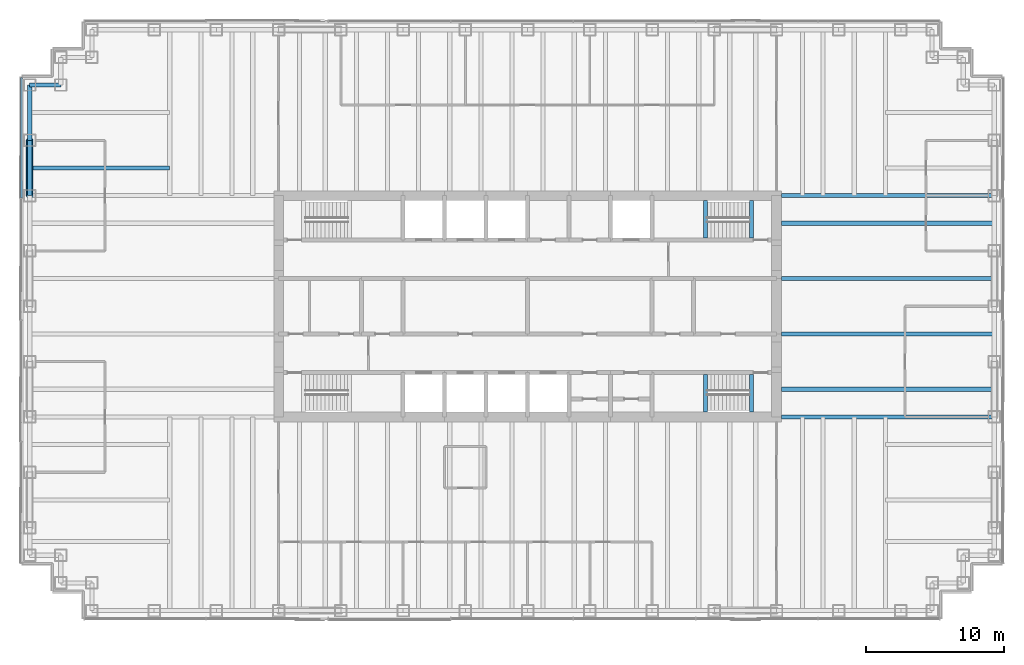
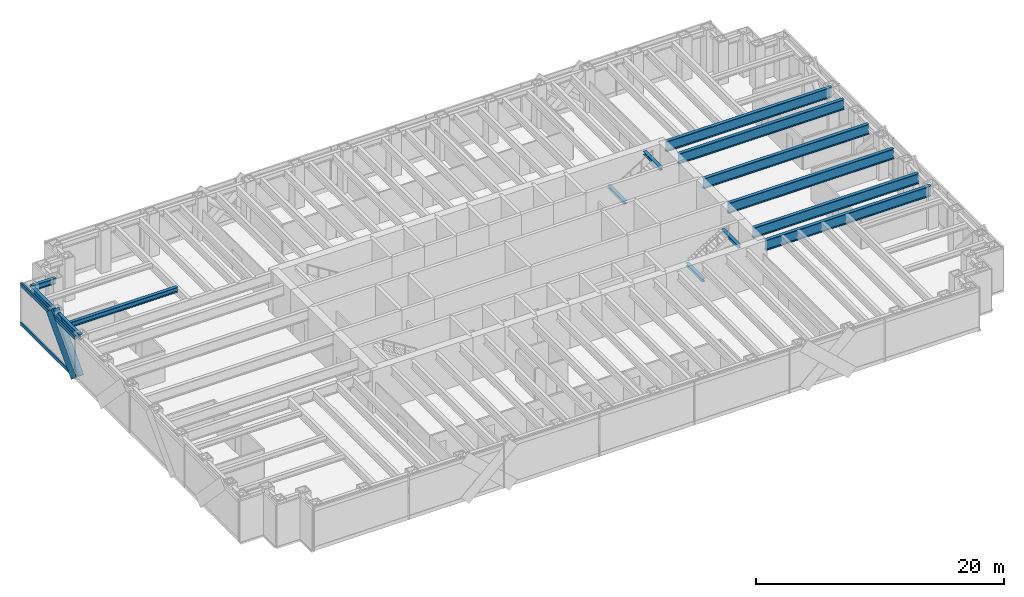
# One storey, part 5 of 17: 14 beams, 4 members, 1 element without a shape of its own.
"""IFC4 building model written with IfcOpenShell, lengths in metres."""

from ifc_helpers import new_model, si_unit, direction, frame, origin, origin_2d, place, context, subcontext, project, spatial, rectangle, hollow_circle, i_section, extrude, material, material_profile, profile_set, type_object, element, aggregate, save


model = new_model("IFC4")

# Units and contexts
model_context = context("Model", 3, precision=1e-05, world=origin(), true_north=direction((0.0, 1.0)))
body_context = subcontext(model_context, "Body", "Model", "MODEL_VIEW")
ifc_project = project(units=[si_unit("LENGTHUNIT", "METRE"), si_unit("AREAUNIT", "SQUARE_METRE"), si_unit("VOLUMEUNIT", "CUBIC_METRE"), si_unit("PLANEANGLEUNIT", "RADIAN"), si_unit("MASSUNIT", "GRAM", prefix="KILO")], contexts=[model_context])

# Site, building, storey
site_placement = place(None, origin())
site = spatial("IfcSite", under=ifc_project, at=site_placement, CompositionType="ELEMENT")
building_placement = place(site_placement, origin())
building = spatial("IfcBuilding", under=site, at=building_placement, Name="Rheinbord Bourse Tower", CompositionType="ELEMENT")
storey_placement = place(building_placement, frame((0.0, 0.0, 287.89990234375)))
storey = spatial("IfcBuildingStorey", under=building, at=storey_placement, Name="L65", CompositionType="ELEMENT", Elevation=287.89990234375)

# Curtain wall, members
ifc_material_1 = material(Name="Dark glass and black aluminium", Category="aluminium")
curtain_wall_type = type_object("IfcCurtainWallType", Name="CW3 DARK GLASS CURTAIN WALL", PredefinedType="USERDEFINED", material=ifc_material_1)
curtain_wall_placement = place(storey_placement, origin())
curtain_wall = element("IfcCurtainWall", 1, at=curtain_wall_placement, inside=storey, type_object=curtain_wall_type, Name="Curtain wall CW3 W L65", ObjectType="UNITISED CURTAIN WALL", PredefinedType="USERDEFINED")
ifc_material_2 = material(Name="Black anodised aluminium", Category="aluminium")
ifc_material_profile_1 = material_profile(ifc_material_2, rectangle(XDim=0.14990234375, YDim=1.10791015625, at=origin_2d()), Name="CW3 DIAGONAL MULLION 1108x150")
ifc_profile_set_1 = profile_set([ifc_material_profile_1], Name="Black anodised aluminium")
member_type_1 = type_object("IfcMemberType", Name="CW3 BLACK DIAGONAL MULLION", PredefinedType="USERDEFINED", material=ifc_profile_set_1)
member_1_placement = place(storey_placement, frame((-0.60009765625, 32.0, 0.0), z_axis=(0.0, 0.689638355374, 0.72415394689), x_axis=(-1.0, 0.0, 0.0)))
member_1 = element("IfcMember", 2, at=member_1_placement, type_object=member_type_1, Name="CW3 diagonal mullion d", ObjectType="DIAGONAL MULLION", PredefinedType="USERDEFINED", context=body_context, shape_type="SweptSolid", body=[
    extrude(rectangle(XDim=0.14990234375, YDim=1.10791015625, at=origin_2d()), origin(), (0.0, 0.0, 1.0), 5.800048828125),
])
ifc_material_3 = material(Name="Black anodised aluminium", Category="aluminium")
ifc_material_profile_2 = material_profile(ifc_material_3, rectangle(XDim=0.14990234375, YDim=0.35009765625, at=origin_2d()), Name="CW3 TRANSOM 350x150")
ifc_profile_set_2 = profile_set([ifc_material_profile_2], Name="Black anodised aluminium")
member_type_2 = type_object("IfcMemberType", Name="CW3 BLACK TRANSOM", PredefinedType="USERDEFINED", material=ifc_profile_set_2)
member_2_placement = place(storey_placement, frame((-0.60009765625, 40.534912109375, 0.175048828125), z_axis=(0.0, -1.0, 0.0), x_axis=(1.0, 0.0, 0.0)))
member_2 = element("IfcMember", 3, at=member_2_placement, type_object=member_type_2, Name="CW3 transom 1.1", ObjectType="TRANSOM", PredefinedType="USERDEFINED", context=body_context, shape_type="SweptSolid", body=[
    extrude(rectangle(XDim=0.14990234375, YDim=0.35009765625, at=origin_2d()), origin(), (0.0, 0.0, 1.0), 8.702392578125),
])
member_3_placement = place(storey_placement, frame((-0.60009765625, 40.534912109375, 4.025146484375), z_axis=(0.0, -1.0, 0.0), x_axis=(1.0, 0.0, 0.0)))
member_3 = element("IfcMember", 4, at=member_3_placement, type_object=member_type_2, Name="CW3 transom 1.2", ObjectType="TRANSOM", PredefinedType="USERDEFINED", context=body_context, shape_type="SweptSolid", body=[
    extrude(rectangle(XDim=0.14990234375, YDim=0.35009765625, at=origin_2d()), origin(), (0.0, 0.0, 1.0), 8.702392578125),
])
aggregate(curtain_wall, [member_2, member_3, member_1])

# Beams
ifc_material_4 = material(Name="Steel S460", Category="steel")
ifc_material_profile_3 = material_profile(ifc_material_4, i_section(OverallWidth=0.302001953125, OverallDepth=1.008056640625, WebThickness=0.02099609375, FlangeThickness=0.0400390625, at=origin_2d()), Name="HEM 1000")
ifc_profile_set_3 = profile_set([ifc_material_profile_3], Name="Steel S460")
beam_type_1 = type_object("IfcBeamType", Name="END BEAM HEM 1000", PredefinedType="BEAM", material=ifc_profile_set_3)
for number, where, z_axis, x_axis, name in (
    (5, (54.35009765625, 18.0, 3.5361328125), (1.0, 0.0, 0.0), (0.0, 1.0, 0.0), "End beam east 18 L66"),
    (6, (54.35009765625, 22.0, 3.5361328125), (1.0, 0.0, 0.0), (0.0, 1.0, 0.0), "End beam east 22 L66"),
    (7, (54.35009765625, 26.0, 3.5361328125), (1.0, 0.0, 0.0), (0.0, 1.0, 0.0), "End beam east 26 L66"),
    (8, (54.35009765625, 30.0, 3.5361328125), (1.0, 0.0, 0.0), (0.0, 1.0, 0.0), "End beam east 30 L66"),
):
    element("IfcBeam", number, at=place(storey_placement, frame(where, z_axis=z_axis, x_axis=x_axis)), inside=storey, type_object=beam_type_1, Name=name, PredefinedType="BEAM", context=body_context, shape_type="SweptSolid", body=[
        extrude(i_section(OverallWidth=0.302001953125, OverallDepth=1.008056640625, WebThickness=0.02099609375, FlangeThickness=0.0400390625, at=origin_2d()), origin(), (0.0, 0.0, 1.0), 15.39990234375),
    ])
ifc_material_5 = material(Name="Steel S460", Category="steel")
ifc_material_profile_4 = material_profile(ifc_material_5, i_section(OverallWidth=0.302001953125, OverallDepth=1.008056640625, WebThickness=0.02099609375, FlangeThickness=0.0400390625, at=origin_2d()), Name="HEM 1000")
ifc_profile_set_4 = profile_set([ifc_material_profile_4], Name="Steel S460")
beam_type_2 = type_object("IfcBeamType", Name="GIRDER HEM 1000", PredefinedType="BEAM", material=ifc_profile_set_4)
for number, where, z_axis, x_axis, name in (
    (9, (54.35009765625, 16.0, 3.5361328125), (1.0, 0.0, 0.0), (0.0, 1.0, 0.0), "Girder east 16 L66"),
    (10, (54.35009765625, 32.0, 3.5361328125), (1.0, 0.0, 0.0), (0.0, 1.0, 0.0), "Girder east 32 L66"),
):
    element("IfcBeam", number, at=place(storey_placement, frame(where, z_axis=z_axis, x_axis=x_axis)), inside=storey, type_object=beam_type_2, Name=name, PredefinedType="BEAM", context=body_context, shape_type="SweptSolid", body=[
        extrude(i_section(OverallWidth=0.302001953125, OverallDepth=1.008056640625, WebThickness=0.02099609375, FlangeThickness=0.0400390625, at=origin_2d()), origin(), (0.0, 0.0, 1.0), 15.39990234375),
    ])
ifc_material_6 = material(Name="Steel S460", Category="steel")
ifc_material_profile_5 = material_profile(ifc_material_6, i_section(OverallWidth=0.300048828125, OverallDepth=0.300048828125, WebThickness=0.010986328125, FlangeThickness=0.01904296875, at=origin_2d()), Name="HEB 300")
ifc_profile_set_5 = profile_set([ifc_material_profile_5], Name="Steel S460")
beam_type_3 = type_object("IfcBeamType", Name="LANDING TRIMMER HEB 300", PredefinedType="BEAM", material=ifc_profile_set_5)
for number, where, z_axis, x_axis, name in (
    (11, (48.8701171875, 16.35009765625, 1.75), (0.0, 1.0, 0.0), (-1.0, 0.0, 0.0), "Landing trimmer ST3 L65"),
    (12, (52.199951171875, 16.35009765625, 3.89013671875), (0.0, 1.0, 0.0), (-1.0, 0.0, 0.0), "Well trimmer ST3 under L66"),
    (13, (48.8701171875, 28.949951171875, 1.75), (0.0, 1.0, 0.0), (-1.0, 0.0, 0.0), "Landing trimmer ST4 L65"),
    (14, (52.199951171875, 28.949951171875, 3.89013671875), (0.0, 1.0, 0.0), (-1.0, 0.0, 0.0), "Well trimmer ST4 under L66"),
):
    element("IfcBeam", number, at=place(storey_placement, frame(where, z_axis=z_axis, x_axis=x_axis)), inside=storey, type_object=beam_type_3, Name=name, PredefinedType="BEAM", context=body_context, shape_type="SweptSolid", body=[
        extrude(i_section(OverallWidth=0.300048828125, OverallDepth=0.300048828125, WebThickness=0.010986328125, FlangeThickness=0.01904296875, at=origin_2d()), origin(), (0.0, 0.0, 1.0), 2.699951171875),
    ])

# Member
ifc_material_7 = material(Name="Steel S460", Category="steel")
ifc_material_profile_6 = material_profile(ifc_material_7, hollow_circle(Radius=0.25390625, WallThickness=0.030029296875, at=origin_2d()), Name="CHS 508x30")
ifc_profile_set_6 = profile_set([ifc_material_profile_6], Name="Steel S460")
member_type_3 = type_object("IfcMemberType", Name="MEGABRACE CHS 508x30", PredefinedType="BRACE", material=ifc_profile_set_6)
member_4_placement = place(storey_placement, frame((0.0, 32.0, 0.0), z_axis=(0.0, 0.689638355374, 0.72415394689), x_axis=(-1.0, 0.0, 0.0)))
element("IfcMember", 15, at=member_4_placement, inside=storey, type_object=member_type_3, Name="Megabrace W face line d L65", PredefinedType="BRACE", context=body_context, shape_type="SweptSolid", body=[
    extrude(hollow_circle(Radius=0.25390625, WallThickness=0.030029296875, at=origin_2d()), origin(), (0.0, 0.0, 1.0), 5.800048828125),
])

# Beams
ifc_material_8 = material(Name="Steel S460", Category="steel")
ifc_material_profile_7 = material_profile(ifc_material_8, i_section(OverallWidth=0.300048828125, OverallDepth=0.550048828125, WebThickness=0.014892578125, FlangeThickness=0.029052734375, at=origin_2d()), Name="HEB 550")
ifc_profile_set_7 = profile_set([ifc_material_profile_7], Name="Steel S460")
beam_type_4 = type_object("IfcBeamType", Name="SPANDREL HEB 550", PredefinedType="SPANDREL", material=ifc_profile_set_7)
beam_1_placement = place(storey_placement, frame((2.25, 40.0, 3.76513671875), z_axis=(-1.0, 0.0, 0.0), x_axis=(0.0, -1.0, 0.0)))
element("IfcBeam", 16, at=beam_1_placement, inside=storey, type_object=beam_type_4, Name="Spandrel NW-B-NW-A under L66", PredefinedType="SPANDREL", context=body_context, shape_type="SweptSolid", body=[
    extrude(i_section(OverallWidth=0.300048828125, OverallDepth=0.550048828125, WebThickness=0.014892578125, FlangeThickness=0.029052734375, at=origin_2d()), origin(), (0.0, 0.0, 1.0), 2.25),
])
for number, where, z_axis, x_axis, name in (
    (17, (0.0, 40.0, 3.76513671875), (0.0, -1.0, 0.0), (1.0, 0.0, 0.0), "Spandrel NW-A-W-36 under L66"),
    (18, (0.0, 36.0, 3.76513671875), (0.0, -1.0, 0.0), (1.0, 0.0, 0.0), "Spandrel W-36-W-32 under L66"),
):
    element("IfcBeam", number, at=place(storey_placement, frame(where, z_axis=z_axis, x_axis=x_axis)), inside=storey, type_object=beam_type_4, Name=name, PredefinedType="SPANDREL", context=body_context, shape_type="SweptSolid", body=[
        extrude(i_section(OverallWidth=0.300048828125, OverallDepth=0.550048828125, WebThickness=0.014892578125, FlangeThickness=0.029052734375, at=origin_2d()), origin(), (0.0, 0.0, 1.0), 4.0),
    ])
ifc_material_9 = material(Name="Steel S460", Category="steel")
ifc_material_profile_8 = material_profile(ifc_material_9, i_section(OverallWidth=0.300048828125, OverallDepth=0.5, WebThickness=0.014404296875, FlangeThickness=0.028076171875, at=origin_2d()), Name="HEB 500")
ifc_profile_set_8 = profile_set([ifc_material_profile_8], Name="Steel S460")
beam_type_5 = type_object("IfcBeamType", Name="TIE BEAM HEB 500", PredefinedType="JOIST", material=ifc_profile_set_8)
beam_2_placement = place(storey_placement, frame((0.0, 34.0, 3.7900390625), z_axis=(1.0, 0.0, 0.0), x_axis=(0.0, 1.0, 0.0)))
element("IfcBeam", 19, at=beam_2_placement, inside=storey, type_object=beam_type_5, Name="Tie west 34 L66", PredefinedType="JOIST", context=body_context, shape_type="SweptSolid", body=[
    extrude(i_section(OverallWidth=0.300048828125, OverallDepth=0.5, WebThickness=0.014404296875, FlangeThickness=0.028076171875, at=origin_2d()), origin(), (0.0, 0.0, 1.0), 10.125),
])

save(model, "model.ifc")
